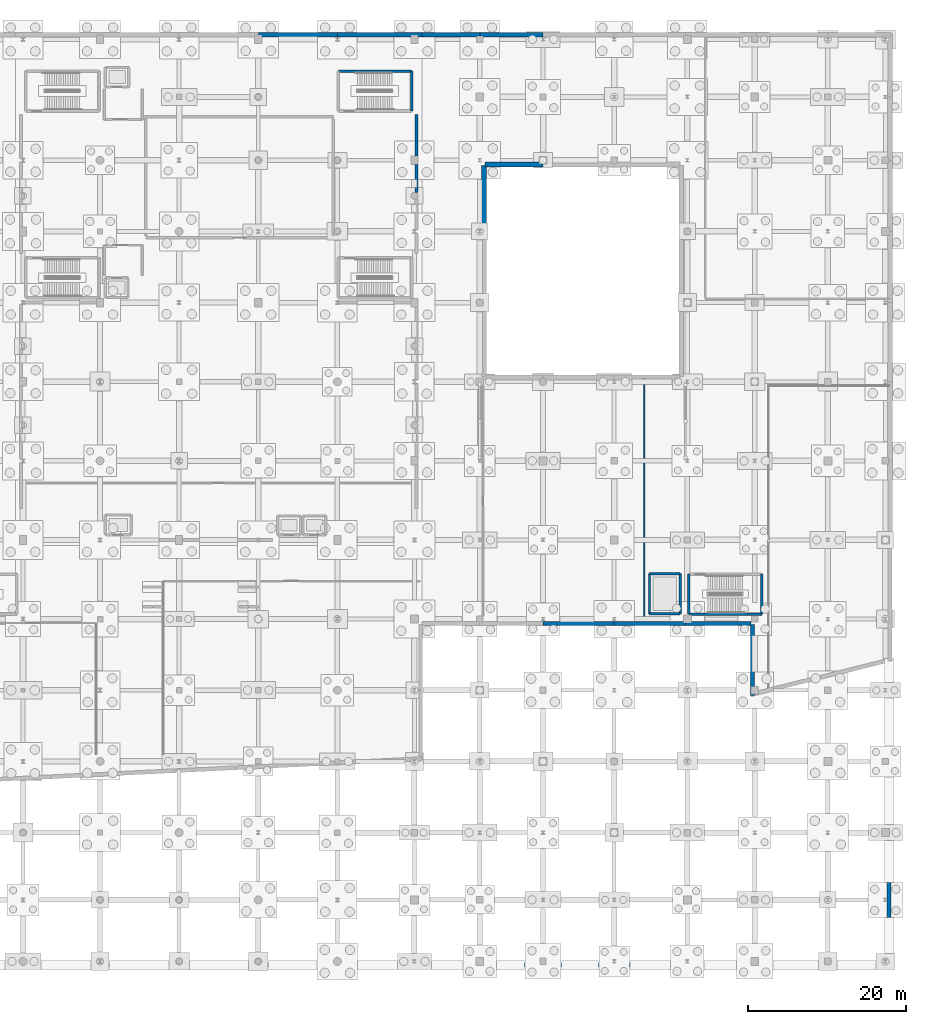
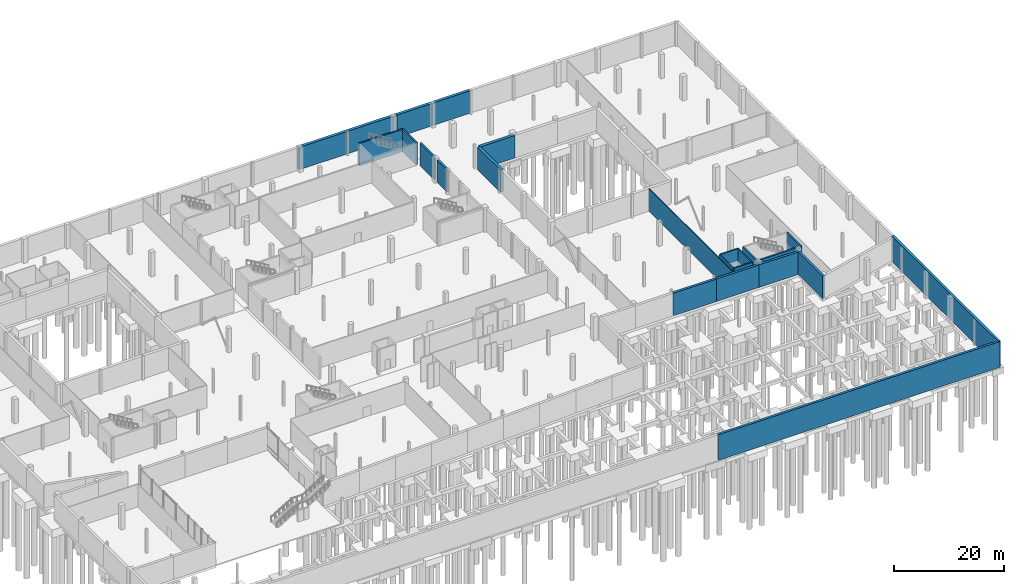
# One storey, part 48 of 60: 24 walls.
"""IFC4 building model written with IfcOpenShell, lengths in metres."""

from ifc_helpers import new_model, si_unit, direction, frame, frame_2d, origin, place, context, subcontext, project, spatial, rectangle, extrude, material, layer, layer_set, type_object, element, save


model = new_model("IFC4")

# Units and contexts
model_context = context("Model", 3, precision=1e-05, world=origin(), true_north=direction((0.0, 1.0)))
body_context = subcontext(model_context, "Body", "Model", "MODEL_VIEW")
ifc_project = project(units=[si_unit("LENGTHUNIT", "METRE"), si_unit("AREAUNIT", "SQUARE_METRE"), si_unit("VOLUMEUNIT", "CUBIC_METRE"), si_unit("PLANEANGLEUNIT", "RADIAN"), si_unit("MASSUNIT", "GRAM", prefix="KILO")], contexts=[model_context])

# Site, building, storey
site_placement = place(None, origin())
site = spatial("IfcSite", under=ifc_project, at=site_placement, CompositionType="ELEMENT")
building_placement = place(site_placement, origin())
building = spatial("IfcBuilding", under=site, at=building_placement, Name="Trimount Lyric Opera House", CompositionType="ELEMENT")
storey_placement = place(building_placement, frame((0.0, 0.0, -5.39990234375)))
storey = spatial("IfcBuildingStorey", under=building, at=storey_placement, Name="B1", CompositionType="ELEMENT", Elevation=-5.39990234375)

# Walls
ifc_material_1 = material(Name="Fire-Rated Gypsum Board Partition")
ifc_layer_1 = layer(ifc_material_1, 0.14990234375)
ifc_layer_set_1 = layer_set([ifc_layer_1], Name="WL-PT150")
wall_type_1 = type_object("IfcWallType", Name="WL-PT150", PredefinedType="PARTITIONING", material=ifc_layer_set_1)
wall_1_placement = place(storey_placement, frame((142.800048828125, 43.60009765625, 0.0), z_axis=(0.0, 0.0, 1.0), x_axis=(0.0, 1.0, 0.0)))
element("IfcWall", 1, at=wall_1_placement, inside=storey, type_object=wall_type_1, Name="B1 Repertory Costume Atelier E partition", PredefinedType="PARTITIONING", context=body_context, shape_type="SweptSolid", body=[
    extrude(rectangle(XDim=30.7998046875, YDim=0.14990234375, at=frame_2d((15.39990234375, 0.0))), origin(), (0.0, 0.0, 1.0), 5.02001953125),
])
ifc_material_2 = material(Name="Concrete C40/50", Category="concrete")
ifc_layer_2 = layer(ifc_material_2, 0.5)
ifc_layer_set_2 = layer_set([ifc_layer_2], Name="WL-RET500")
wall_type_2 = type_object("IfcWallType", Name="WL-RET500", PredefinedType="USERDEFINED", material=ifc_layer_set_2)
wall_2_placement = place(storey_placement, frame((114.5, 0.25, -0.60009765625), z_axis=(0.0, 0.0, 1.0), x_axis=(1.0, 0.0, 0.0)))
element("IfcWall", 2, at=wall_2_placement, inside=storey, type_object=wall_type_2, Name="B1 plaza perimeter retaining plinth wall PLINTH-S2", ObjectType="RETAININGWALL", PredefinedType="USERDEFINED", context=body_context, shape_type="SweptSolid", body=[
    extrude(rectangle(XDim=59.25, YDim=0.5, at=frame_2d((29.625, 0.0))), origin(), (0.0, 0.0, 1.0), 5.719970703125),
])
wall_3_placement = place(storey_placement, frame((173.75, 0.25, -0.60009765625), z_axis=(0.0, 0.0, 1.0), x_axis=(0.0, 1.0, 0.0)))
element("IfcWall", 3, at=wall_3_placement, inside=storey, type_object=wall_type_2, Name="B1 plaza perimeter retaining plinth wall PLINTH-E1", ObjectType="RETAININGWALL", PredefinedType="USERDEFINED", context=body_context, shape_type="SweptSolid", body=[
    extrude(rectangle(XDim=38.75, YDim=0.5, at=frame_2d((19.375, 0.0))), origin(), (0.0, 0.0, 1.0), 5.719970703125),
])
wall_4_placement = place(storey_placement, frame((156.4599609375, 34.320068359375, 0.0), z_axis=(0.0, 0.0, 1.0), x_axis=(0.0, 1.0, 0.0)))
element("IfcWall", 4, at=wall_4_placement, inside=storey, type_object=wall_type_2, Name="B1 exterior retaining wall 039", ObjectType="RETAININGWALL", PredefinedType="USERDEFINED", context=body_context, shape_type="SweptSolid", body=[
    extrude(rectangle(XDim=9.0, YDim=0.5, at=frame_2d((4.5, 0.0))), origin(), (0.0, 0.0, 1.0), 5.02001953125),
])
wall_5_placement = place(storey_placement, frame((156.320068359375, 43.4599609375, 0.0), z_axis=(0.0, 0.0, 1.0), x_axis=(-1.0, 0.0, 0.0)))
element("IfcWall", 5, at=wall_5_placement, inside=storey, type_object=wall_type_2, Name="B1 exterior retaining wall 040", ObjectType="RETAININGWALL", PredefinedType="USERDEFINED", context=body_context, shape_type="SweptSolid", body=[
    extrude(rectangle(XDim=8.320068359375, YDim=0.5, at=frame_2d((4.16015625, 0.0))), origin(), (0.0, 0.0, 1.0), 5.02001953125),
])
for number, where, z_axis, x_axis, name in (
    (6, (148.0, 43.4599609375, 0.0), (0.0, 0.0, 1.0), (-1.0, 0.0, 0.0), "B1 exterior retaining wall 041"),
    (7, (139.0, 43.4599609375, 0.0), (0.0, 0.0, 1.0), (-1.0, 0.0, 0.0), "B1 exterior retaining wall 042"),
):
    element("IfcWall", number, at=place(storey_placement, frame(where, z_axis=z_axis, x_axis=x_axis)), inside=storey, type_object=wall_type_2, Name=name, ObjectType="RETAININGWALL", PredefinedType="USERDEFINED", context=body_context, shape_type="SweptSolid", body=[
        extrude(rectangle(XDim=9.0, YDim=0.5, at=frame_2d((4.5, 0.0))), origin(), (0.0, 0.0, 1.0), 5.02001953125),
    ])
ifc_material_3 = material(Name="Concrete C40/50", Category="concrete")
ifc_layer_3 = layer(ifc_material_3, 0.60009765625)
ifc_layer_set_3 = layer_set([ifc_layer_3], Name="WL-RET600")
wall_type_3 = type_object("IfcWallType", Name="WL-RET600", PredefinedType="USERDEFINED", material=ifc_layer_set_3)
wall_6_placement = place(storey_placement, frame((94.0, 117.860107421875, 0.0), z_axis=(0.0, 0.0, 1.0), x_axis=(1.0, 0.0, 0.0)))
element("IfcWall", 8, at=wall_6_placement, inside=storey, type_object=wall_type_3, Name="B1 exterior retaining wall 019", ObjectType="RETAININGWALL", PredefinedType="USERDEFINED", context=body_context, shape_type="SweptSolid", body=[
    extrude(rectangle(XDim=10.0, YDim=0.60009765625, at=frame_2d((5.0, 0.0))), origin(), (0.0, 0.0, 1.0), 5.0),
])
wall_7_placement = place(storey_placement, frame((104.0, 117.860107421875, 0.0), z_axis=(0.0, 0.0, 1.0), x_axis=(1.0, 0.0, 0.0)))
element("IfcWall", 9, at=wall_7_placement, inside=storey, type_object=wall_type_3, Name="B1 exterior retaining wall 020", ObjectType="RETAININGWALL", PredefinedType="USERDEFINED", context=body_context, shape_type="SweptSolid", body=[
    extrude(rectangle(XDim=10.679931640625, YDim=0.60009765625, at=frame_2d((5.33984375, 0.0))), origin(), (0.0, 0.0, 1.0), 5.0),
])
wall_8_placement = place(storey_placement, frame((114.679931640625, 117.860107421875, 0.0), z_axis=(0.0, 0.0, 1.0), x_axis=(1.0, 0.0, 0.0)))
element("IfcWall", 10, at=wall_8_placement, inside=storey, type_object=wall_type_3, Name="B1 exterior retaining wall 021", ObjectType="RETAININGWALL", PredefinedType="USERDEFINED", context=body_context, shape_type="SweptSolid", body=[
    extrude(rectangle(XDim=7.320068359375, YDim=0.60009765625, at=frame_2d((3.66015625, 0.0))), origin(), (0.0, 0.0, 1.0), 5.0),
])
wall_9_placement = place(storey_placement, frame((122.0, 117.860107421875, 0.0), z_axis=(0.0, 0.0, 1.0), x_axis=(1.0, 0.0, 0.0)))
element("IfcWall", 11, at=wall_9_placement, inside=storey, type_object=wall_type_3, Name="B1 exterior retaining wall 022", ObjectType="RETAININGWALL", PredefinedType="USERDEFINED", context=body_context, shape_type="SweptSolid", body=[
    extrude(rectangle(XDim=8.0, YDim=0.60009765625, at=frame_2d((4.0, 0.0))), origin(), (0.0, 0.0, 1.0), 5.02001953125),
])
wall_10_placement = place(storey_placement, frame((130.0, 101.4599609375, 0.0), z_axis=(0.0, 0.0, 1.0), x_axis=(-1.0, 0.0, 0.0)))
element("IfcWall", 12, at=wall_10_placement, inside=storey, type_object=wall_type_3, Name="B1 exterior retaining wall 090", ObjectType="RETAININGWALL", PredefinedType="USERDEFINED", context=body_context, shape_type="SweptSolid", body=[
    extrude(rectangle(XDim=7.320068359375, YDim=0.60009765625, at=frame_2d((3.66015625, 0.0))), origin(), (0.0, 0.0, 1.0), 5.02001953125),
])
wall_11_placement = place(storey_placement, frame((122.5400390625, 101.320068359375, 0.0), z_axis=(0.0, 0.0, 1.0), x_axis=(0.0, -1.0, 0.0)))
element("IfcWall", 13, at=wall_11_placement, inside=storey, type_object=wall_type_3, Name="B1 exterior retaining wall 091", ObjectType="RETAININGWALL", PredefinedType="USERDEFINED", context=body_context, shape_type="SweptSolid", body=[
    extrude(rectangle(XDim=8.320068359375, YDim=0.60009765625, at=frame_2d((4.16015625, 0.0))), origin(), (0.0, 0.0, 1.0), 5.02001953125),
])
ifc_material_4 = material(Name="Concrete C40/50", Category="concrete")
ifc_layer_4 = layer(ifc_material_4, 0.280029296875)
ifc_layer_set_4 = layer_set([ifc_layer_4], Name="WL-SH280")
wall_type_4 = type_object("IfcWallType", Name="WL-SH280", PredefinedType="SHEAR", material=ifc_layer_set_4)
for number, where, z_axis, x_axis, name in (
    (14, (143.4599609375, 44.659912109375, 0.0), (0.0, 0.0, 1.0), (1.0, 0.0, 0.0), "Lift LF-07 B1 south shaft wall"),
    (15, (147.340087890625, 49.739990234375, 0.0), (0.0, 0.0, 1.0), (-1.0, 0.0, 0.0), "Lift LF-07 B1 north shaft wall"),
):
    element("IfcWall", number, at=place(storey_placement, frame(where, z_axis=z_axis, x_axis=x_axis)), inside=storey, type_object=wall_type_4, Name=name, PredefinedType="SHEAR", context=body_context, shape_type="SweptSolid", body=[
        extrude(rectangle(XDim=3.880126953125, YDim=0.280029296875, at=frame_2d((1.93994140625, 0.0))), origin(), (0.0, 0.0, 1.0), 5.02001953125),
    ])
for number, where, z_axis, x_axis, name in (
    (16, (143.4599609375, 49.739990234375, 0.0), (0.0, 0.0, 1.0), (0.0, -1.0, 0.0), "Lift LF-07 B1 west shaft wall"),
    (17, (147.340087890625, 44.659912109375, 0.0), (0.0, 0.0, 1.0), (0.0, 1.0, 0.0), "Lift LF-07 B1 east shaft wall"),
):
    element("IfcWall", number, at=place(storey_placement, frame(where, z_axis=z_axis, x_axis=x_axis)), inside=storey, type_object=wall_type_4, Name=name, PredefinedType="SHEAR", context=body_context, shape_type="SweptSolid", body=[
        extrude(rectangle(XDim=5.080078125, YDim=0.280029296875, at=frame_2d((2.5400390625, 0.0))), origin(), (0.0, 0.0, 1.0), 5.02001953125),
    ])
ifc_material_5 = material(Name="Concrete C40/50", Category="concrete")
ifc_layer_5 = layer(ifc_material_5, 0.320068359375)
ifc_layer_set_5 = layer_set([ifc_layer_5], Name="WL-SH320")
wall_type_5 = type_object("IfcWallType", Name="WL-SH320", PredefinedType="SHEAR", material=ifc_layer_set_5)
wall_12_placement = place(storey_placement, frame((113.375, 113.27490234375, 0.0), z_axis=(0.0, 0.0, 1.0), x_axis=(-1.0, 0.0, 0.0)))
element("IfcWall", 18, at=wall_12_placement, inside=storey, type_object=wall_type_5, Name="K2 B1 north shaft wall", PredefinedType="SHEAR", context=body_context, shape_type="SweptSolid", body=[
    extrude(rectangle(XDim=9.25, YDim=0.320068359375, at=frame_2d((4.625, 0.0))), origin(), (0.0, 0.0, 1.0), 5.0),
])
wall_13_placement = place(storey_placement, frame((113.375, 108.22509765625, 0.0), z_axis=(0.0, 0.0, 1.0), x_axis=(0.0, 1.0, 0.0)))
element("IfcWall", 19, at=wall_13_placement, inside=storey, type_object=wall_type_5, Name="K2 B1 east shaft wall", PredefinedType="SHEAR", context=body_context, shape_type="SweptSolid", body=[
    extrude(rectangle(XDim=5.0498046875, YDim=0.320068359375, at=frame_2d((2.52490234375, 0.0))), origin(), (0.0, 0.0, 1.0), 5.0),
])
wall_14_placement = place(storey_placement, frame((148.425048828125, 44.625, 0.0), z_axis=(0.0, 0.0, 1.0), x_axis=(1.0, 0.0, 0.0)))
element("IfcWall", 20, at=wall_14_placement, inside=storey, type_object=wall_type_5, Name="K5 B1 south shaft wall", PredefinedType="SHEAR", context=body_context, shape_type="SweptSolid", body=[
    extrude(rectangle(XDim=9.25, YDim=0.320068359375, at=frame_2d((4.625, 0.0))), origin(), (0.0, 0.0, 1.0), 5.02001953125),
])
for number, where, z_axis, x_axis, name in (
    (21, (148.425048828125, 49.675048828125, 0.0), (0.0, 0.0, 1.0), (0.0, -1.0, 0.0), "K5 B1 west shaft wall"),
    (22, (157.675048828125, 44.625, 0.0), (0.0, 0.0, 1.0), (0.0, 1.0, 0.0), "K5 B1 east shaft wall"),
):
    element("IfcWall", number, at=place(storey_placement, frame(where, z_axis=z_axis, x_axis=x_axis)), inside=storey, type_object=wall_type_5, Name=name, PredefinedType="SHEAR", context=body_context, shape_type="SweptSolid", body=[
        extrude(rectangle(XDim=5.050048828125, YDim=0.320068359375, at=frame_2d((2.52490234375, 0.0))), origin(), (0.0, 0.0, 1.0), 5.02001953125),
    ])
ifc_material_6 = material(Name="Concrete C40/50", Category="concrete")
ifc_layer_6 = layer(ifc_material_6, 0.39990234375)
ifc_layer_set_6 = layer_set([ifc_layer_6], Name="WL-SH400")
wall_type_6 = type_object("IfcWallType", Name="WL-SH400", PredefinedType="SHEAR", material=ifc_layer_set_6)
wall_15_placement = place(storey_placement, frame((114.0, 97.925048828125, 0.0), z_axis=(0.0, 0.0, 1.0), x_axis=(0.0, 1.0, 0.0)))
element("IfcWall", 23, at=wall_15_placement, inside=storey, type_object=wall_type_6, Name="B1 fly-tower east shear wall", PredefinedType="SHEAR", context=body_context, shape_type="SweptSolid", body=[
    extrude(rectangle(XDim=3.52490234375, YDim=0.39990234375, at=frame_2d((1.762451171875, 0.0))), origin(), (0.0, 0.0, 1.0), 5.0),
])
wall_16_placement = place(storey_placement, frame((114.0, 102.550048828125, 0.0), z_axis=(0.0, 0.0, 1.0), x_axis=(0.0, 1.0, 0.0)))
element("IfcWall", 24, at=wall_16_placement, inside=storey, type_object=wall_type_6, Name="B1 fly-tower east shear wall", PredefinedType="SHEAR", context=body_context, shape_type="SweptSolid", body=[
    extrude(rectangle(XDim=5.25, YDim=0.39990234375, at=frame_2d((2.625, 0.0))), origin(), (0.0, 0.0, 1.0), 5.0),
])

save(model, "model.ifc")
